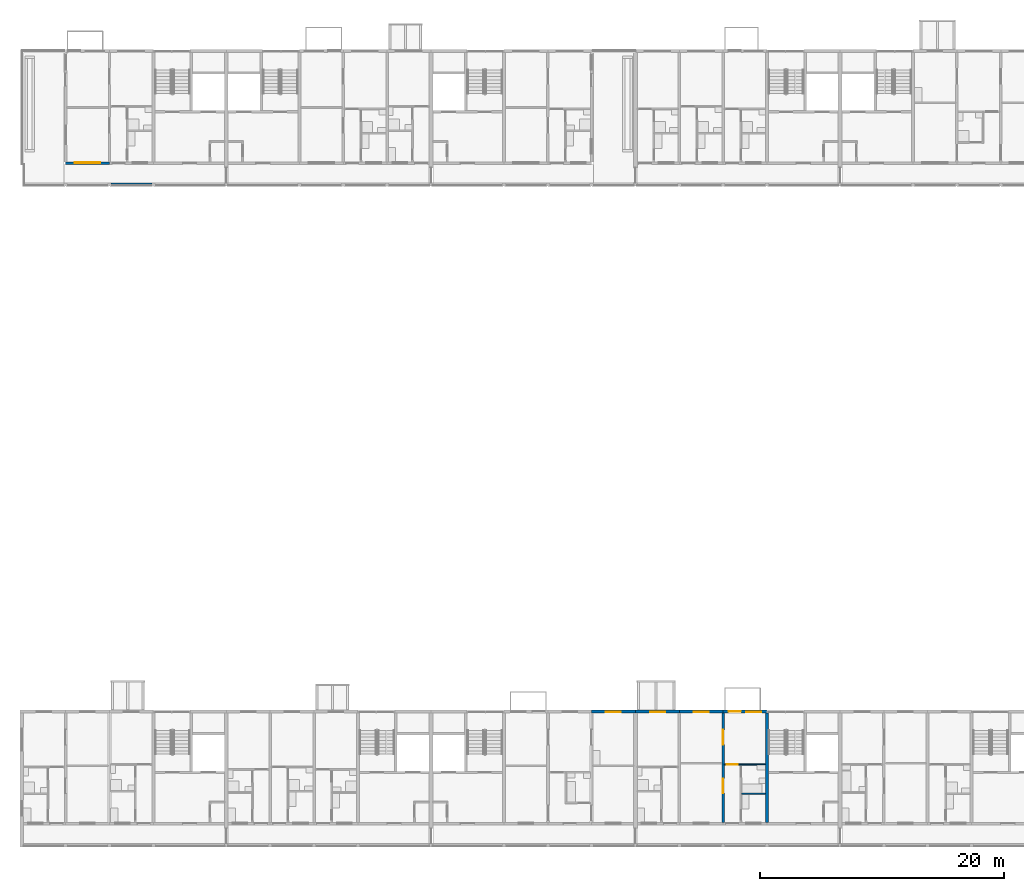
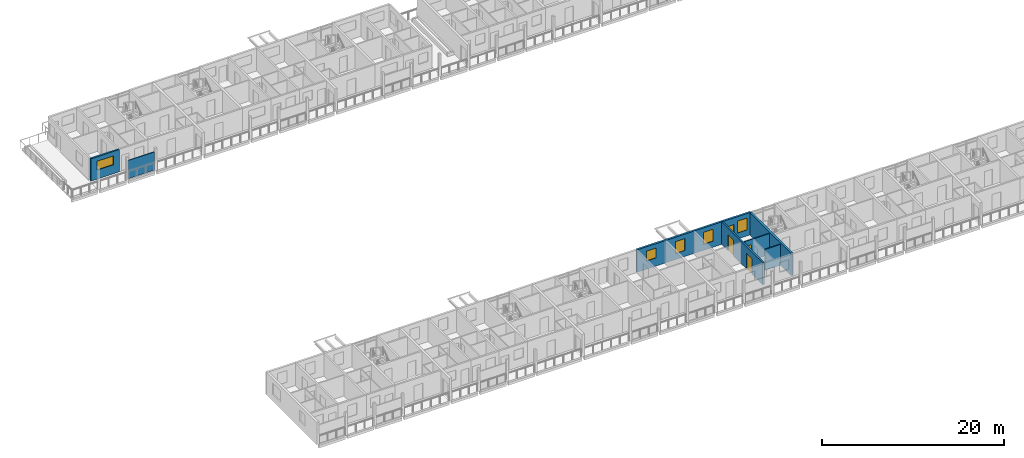
# One storey, part 33 of 93: 10 walls, 5 windows, 4 doors, 9 openings.
"""IFC4 building model written with IfcOpenShell, lengths in metres."""

from ifc_helpers import new_model, si_unit, direction, frame, frame_2d, origin, place, context, subcontext, project, spatial, rectangle, extrude, material, layer, layer_set, type_object, element, fill, save


model = new_model("IFC4")

# Units and contexts
model_context = context("Model", 3, precision=1e-05, world=origin(), true_north=direction((0.0, 1.0)))
body_context = subcontext(model_context, "Body", "Model", "MODEL_VIEW")
ifc_project = project(units=[si_unit("LENGTHUNIT", "METRE"), si_unit("AREAUNIT", "SQUARE_METRE"), si_unit("VOLUMEUNIT", "CUBIC_METRE"), si_unit("PLANEANGLEUNIT", "RADIAN"), si_unit("MASSUNIT", "GRAM", prefix="KILO")], contexts=[model_context])

# Site, building, storey
site_placement = place(None, origin())
site = spatial("IfcSite", under=ifc_project, at=site_placement, CompositionType="ELEMENT")
building_placement = place(site_placement, origin())
building = spatial("IfcBuilding", under=site, at=building_placement, Name="Ridgestep Commons", CompositionType="ELEMENT")
storey_placement = place(building_placement, frame((0.0, 0.0, 18.0)))
storey = spatial("IfcBuildingStorey", under=building, at=storey_placement, Name="L06", CompositionType="ELEMENT", Elevation=18.0)

# Wall
ifc_material_1 = material(Name="Concrete C30/37", Category="concrete")
ifc_layer_1 = layer(ifc_material_1, 0.25)
ifc_layer_set_1 = layer_set([ifc_layer_1], Name="Core cross wall 250")
wall_type_1 = type_object("IfcWallType", Name="Core cross wall 250", PredefinedType="SHEAR", material=ifc_layer_set_1)
wall_1_placement = place(storey_placement, frame((73.199951171875, 13.75, 0.0), z_axis=(0.0, 0.0, 1.0), x_axis=(0.0, 1.0, 0.0)))
element("IfcWall", 1, at=wall_1_placement, inside=storey, type_object=wall_type_1, Name="Cross wall A-06-0732", PredefinedType="SHEAR", context=body_context, shape_type="SweptSolid", body=[
    extrude(rectangle(XDim=9.0, YDim=0.25, at=frame_2d((4.5, 0.0))), origin(), (0.0, 0.0, 1.0), 3.0),
])

# Wall, openings, doors
ifc_material_2 = material(Name="Precast concrete C40/50", Category="concrete")
ifc_layer_2 = layer(ifc_material_2, 0.199951171875)
ifc_layer_set_2 = layer_set([ifc_layer_2], Name="Cross wall 200")
wall_type_2 = type_object("IfcWallType", Name="Cross wall 200", PredefinedType="SHEAR", material=ifc_layer_set_2)
wall_2_placement = place(storey_placement, frame((69.60009765625, 13.75, 0.0), z_axis=(0.0, 0.0, 1.0), x_axis=(0.0, 1.0, 0.0)))
wall_2 = element("IfcWall", 2, at=wall_2_placement, inside=storey, type_object=wall_type_2, Name="Cross wall A-06-0696", PredefinedType="SHEAR", context=body_context, shape_type="SweptSolid", body=[
    extrude(rectangle(XDim=9.0, YDim=0.199951171875, at=frame_2d((4.5, 0.0))), origin(), (0.0, 0.0, 1.0), 3.0),
])
opening_1_placement = place(wall_2_placement, frame((2.39990234375, 0.0, 0.0)))
opening_1 = element("IfcOpeningElement", 3, at=opening_1_placement, cuts=wall_2, Name="Opening A4-06b/5", PredefinedType="OPENING", context=body_context, shape_type="SweptSolid", body=[
    extrude(rectangle(XDim=1.199951171875, YDim=2.10009765625, at=frame_2d((0.60009765625, 1.050048828125))), frame((0.0, 0.10986328125, 0.0), z_axis=(0.0, -1.0, 0.0), x_axis=(1.0, 0.0, 0.0)), (0.0, 0.0, 1.0), 0.219970703125),
])
opening_2_placement = place(wall_2_placement, frame((6.39990234375, 0.0, 0.0)))
opening_2 = element("IfcOpeningElement", 4, at=opening_2_placement, cuts=wall_2, Name="Opening A4-06b/6", PredefinedType="OPENING", context=body_context, shape_type="SweptSolid", body=[
    extrude(rectangle(XDim=1.199951171875, YDim=2.10009765625, at=frame_2d((0.60009765625, 1.050048828125))), frame((0.0, 0.10986328125, 0.0), z_axis=(0.0, -1.0, 0.0), x_axis=(1.0, 0.0, 0.0)), (0.0, 0.0, 1.0), 0.219970703125),
])
ifc_material_3 = material(Name="Timber door leaf", Category="wood")
door_type_1 = type_object("IfcDoorType", Name="Double door 1200 x 2100", OperationType="DOUBLE_DOOR_SINGLE_SWING", PredefinedType="DOOR", material=ifc_material_3)
door_1_placement = place(opening_1_placement, origin())
door_1 = element("IfcDoor", 5, at=door_1_placement, inside=storey, type_object=door_type_1, Name="Double door A4-06b/5", OperationType="DOUBLE_DOOR_SINGLE_SWING", OverallHeight=2.10009765625, OverallWidth=1.199951171875, PredefinedType="DOOR", context=body_context, shape_type="SweptSolid", body=[
    extrude(rectangle(XDim=1.199951171875, YDim=2.10009765625, at=frame_2d((0.60009765625, 1.050048828125))), frame((0.0, 0.02490234375, 0.0), z_axis=(0.0, -1.0, 0.0), x_axis=(1.0, 0.0, 0.0)), (0.0, 0.0, 1.0), 0.050048828125),
])
fill(opening_1, door_1)
door_2_placement = place(opening_2_placement, origin())
door_2 = element("IfcDoor", 6, at=door_2_placement, inside=storey, type_object=door_type_1, Name="Double door A4-06b/6", OperationType="DOUBLE_DOOR_SINGLE_SWING", OverallHeight=2.10009765625, OverallWidth=1.199951171875, PredefinedType="DOOR", context=body_context, shape_type="SweptSolid", body=[
    extrude(rectangle(XDim=1.199951171875, YDim=2.10009765625, at=frame_2d((0.60009765625, 1.050048828125))), frame((0.0, 0.02490234375, 0.0), z_axis=(0.0, -1.0, 0.0), x_axis=(1.0, 0.0, 0.0)), (0.0, 0.0, 1.0), 0.050048828125),
])
fill(opening_2, door_2)

# Wall, opening, window
ifc_material_4 = material(Name="Precast concrete C40/50", Category="concrete")
ifc_layer_3 = layer(ifc_material_4, 0.25)
ifc_layer_set_3 = layer_set([ifc_layer_3], Name="North facade panel 250")
wall_type_3 = type_object("IfcWallType", Name="North facade panel 250", PredefinedType="SOLIDWALL", material=ifc_layer_set_3)
wall_3_placement = place(storey_placement, frame((58.800048828125, 22.875, 0.0), z_axis=(0.0, 0.0, 1.0), x_axis=(1.0, 0.0, 0.0)))
wall_3 = element("IfcWall", 7, at=wall_3_placement, inside=storey, type_object=wall_type_3, Name="North panel A3T1 L06", PredefinedType="SOLIDWALL", context=body_context, shape_type="SweptSolid", body=[
    extrude(rectangle(XDim=3.599853515625, YDim=0.25, at=frame_2d((1.7998046875, 0.0))), origin(), (0.0, 0.0, 1.0), 3.0),
])
opening_3_placement = place(wall_3_placement, frame((1.175048828125, 0.0, 1.10009765625)))
opening_3 = element("IfcOpeningElement", 8, at=opening_3_placement, cuts=wall_3, Name="Opening W08", PredefinedType="OPENING", context=body_context, shape_type="SweptSolid", body=[
    extrude(rectangle(XDim=1.199951171875, YDim=1.300048828125, at=frame_2d((0.60009765625, 0.64990234375))), frame((0.0, 0.135009765625, 0.0), z_axis=(0.0, -1.0, 0.0), x_axis=(1.0, 0.0, 0.0)), (0.0, 0.0, 1.0), 0.27001953125),
])
ifc_material_5 = material(Name="Aluminium 6063-T6 and glass", Category="aluminium")
window_type_1 = type_object("IfcWindowType", Name="Flat window 1200 x 1300", PartitioningType="SINGLE_PANEL", PredefinedType="WINDOW", material=ifc_material_5)
window_1_placement = place(opening_3_placement, origin())
window_1 = element("IfcWindow", 9, at=window_1_placement, inside=storey, type_object=window_type_1, Name="Window A3-06a 4", OverallHeight=1.300048828125, OverallWidth=1.199951171875, PartitioningType="SINGLE_PANEL", PredefinedType="WINDOW", context=body_context, shape_type="SweptSolid", body=[
    extrude(rectangle(XDim=1.199951171875, YDim=1.300048828125, at=frame_2d((0.60009765625, 0.64990234375))), frame((0.0, -0.02490234375, 0.0), z_axis=(0.0, -1.0, 0.0), x_axis=(1.0, 0.0, 0.0)), (0.0, 0.0, 1.0), 0.06005859375),
])
fill(opening_3, window_1)

wall_4_placement = place(storey_placement, frame((62.39990234375, 22.875, 0.0), z_axis=(0.0, 0.0, 1.0), x_axis=(1.0, 0.0, 0.0)))
wall_4 = element("IfcWall", 10, at=wall_4_placement, inside=storey, type_object=wall_type_3, Name="North panel A4T1 L06", PredefinedType="SOLIDWALL", context=body_context, shape_type="SweptSolid", body=[
    extrude(rectangle(XDim=3.60009765625, YDim=0.25, at=frame_2d((1.800048828125, 0.0))), origin(), (0.0, 0.0, 1.0), 3.0),
])
opening_4_placement = place(wall_4_placement, frame((1.22509765625, 0.0, 0.800048828125)))
opening_4 = element("IfcOpeningElement", 11, at=opening_4_placement, cuts=wall_4, Name="Opening W11", PredefinedType="OPENING", context=body_context, shape_type="SweptSolid", body=[
    extrude(rectangle(XDim=1.199951171875, YDim=1.60009765625, at=frame_2d((0.60009765625, 0.800048828125))), frame((0.0, 0.135009765625, 0.0), z_axis=(0.0, -1.0, 0.0), x_axis=(1.0, 0.0, 0.0)), (0.0, 0.0, 1.0), 0.27001953125),
])
ifc_material_6 = material(Name="Aluminium 6063-T6 and glass", Category="aluminium")
window_type_2 = type_object("IfcWindowType", Name="Flat window 1200 x 1600", PartitioningType="SINGLE_PANEL", PredefinedType="WINDOW", material=ifc_material_6)
window_2_placement = place(opening_4_placement, origin())
window_2 = element("IfcWindow", 12, at=window_2_placement, inside=storey, type_object=window_type_2, Name="Window A4-06a 2", OverallHeight=1.60009765625, OverallWidth=1.199951171875, PartitioningType="SINGLE_PANEL", PredefinedType="WINDOW", context=body_context, shape_type="SweptSolid", body=[
    extrude(rectangle(XDim=1.199951171875, YDim=1.60009765625, at=frame_2d((0.60009765625, 0.800048828125))), frame((0.0, -0.02490234375, 0.0), z_axis=(0.0, -1.0, 0.0), x_axis=(1.0, 0.0, 0.0)), (0.0, 0.0, 1.0), 0.06005859375),
])
fill(opening_4, window_2)

wall_5_placement = place(storey_placement, frame((66.0, 22.875, 0.0), z_axis=(0.0, 0.0, 1.0), x_axis=(1.0, 0.0, 0.0)))
wall_5 = element("IfcWall", 13, at=wall_5_placement, inside=storey, type_object=wall_type_3, Name="North panel A4T2 L06", PredefinedType="SOLIDWALL", context=body_context, shape_type="SweptSolid", body=[
    extrude(rectangle(XDim=3.60009765625, YDim=0.25, at=frame_2d((1.800048828125, 0.0))), origin(), (0.0, 0.0, 1.0), 3.0),
])
opening_5_placement = place(wall_5_placement, frame((1.199951171875, 0.0, 0.800048828125)))
opening_5 = element("IfcOpeningElement", 14, at=opening_5_placement, cuts=wall_5, Name="Opening W11", PredefinedType="OPENING", context=body_context, shape_type="SweptSolid", body=[
    extrude(rectangle(XDim=1.199951171875, YDim=1.60009765625, at=frame_2d((0.60009765625, 0.800048828125))), frame((0.0, 0.135009765625, 0.0), z_axis=(0.0, -1.0, 0.0), x_axis=(1.0, 0.0, 0.0)), (0.0, 0.0, 1.0), 0.27001953125),
])
window_3_placement = place(opening_5_placement, origin())
window_3 = element("IfcWindow", 15, at=window_3_placement, inside=storey, type_object=window_type_2, Name="Window A4-06b 2", OverallHeight=1.60009765625, OverallWidth=1.199951171875, PartitioningType="SINGLE_PANEL", PredefinedType="WINDOW", context=body_context, shape_type="SweptSolid", body=[
    extrude(rectangle(XDim=1.199951171875, YDim=1.60009765625, at=frame_2d((0.60009765625, 0.800048828125))), frame((0.0, -0.02490234375, 0.0), z_axis=(0.0, -1.0, 0.0), x_axis=(1.0, 0.0, 0.0)), (0.0, 0.0, 1.0), 0.06005859375),
])
fill(opening_5, window_3)

# Wall, openings, door, window
wall_6_placement = place(storey_placement, frame((69.60009765625, 22.875, 0.0), z_axis=(0.0, 0.0, 1.0), x_axis=(1.0, 0.0, 0.0)))
wall_6 = element("IfcWall", 16, at=wall_6_placement, inside=storey, type_object=wall_type_3, Name="North panel A4T3 L06", PredefinedType="SOLIDWALL", context=body_context, shape_type="SweptSolid", body=[
    extrude(rectangle(XDim=3.599853515625, YDim=0.25, at=frame_2d((1.7998046875, 0.0))), origin(), (0.0, 0.0, 1.0), 3.0),
])
opening_6_placement = place(wall_6_placement, frame((1.910888671875, 0.0, 0.800048828125)))
opening_6 = element("IfcOpeningElement", 17, at=opening_6_placement, cuts=wall_6, Name="Opening W11", PredefinedType="OPENING", context=body_context, shape_type="SweptSolid", body=[
    extrude(rectangle(XDim=1.199951171875, YDim=1.60009765625, at=frame_2d((0.60009765625, 0.800048828125))), frame((0.0, 0.135009765625, 0.0), z_axis=(0.0, -1.0, 0.0), x_axis=(1.0, 0.0, 0.0)), (0.0, 0.0, 1.0), 0.27001953125),
])
opening_7_placement = place(wall_6_placement, frame((0.447021484375, 0.0, 0.0)))
opening_7 = element("IfcOpeningElement", 18, at=opening_7_placement, cuts=wall_6, Name="Opening A4-06b/7", PredefinedType="OPENING", context=body_context, shape_type="SweptSolid", body=[
    extrude(rectangle(XDim=1.0, YDim=2.10009765625, at=frame_2d((0.5, 1.050048828125))), frame((0.0, 0.135009765625, 0.0), z_axis=(0.0, -1.0, 0.0), x_axis=(1.0, 0.0, 0.0)), (0.0, 0.0, 1.0), 0.27001953125),
])
ifc_material_7 = material(Name="Aluminium and glass", Category="aluminium")
door_type_2 = type_object("IfcDoorType", Name="Balcony door 1000 x 2100", OperationType="NOTDEFINED", PredefinedType="DOOR", material=ifc_material_7)
door_3_placement = place(opening_7_placement, origin())
door_3 = element("IfcDoor", 19, at=door_3_placement, inside=storey, type_object=door_type_2, Name="Balcony door A4-06b/7", OperationType="SINGLE_SWING_RIGHT", OverallHeight=2.10009765625, OverallWidth=1.0, PredefinedType="DOOR", context=body_context, shape_type="SweptSolid", body=[
    extrude(rectangle(XDim=1.0, YDim=2.10009765625, at=frame_2d((0.5, 1.050048828125))), frame((0.0, 0.02490234375, 0.0), z_axis=(0.0, -1.0, 0.0), x_axis=(1.0, 0.0, 0.0)), (0.0, 0.0, 1.0), 0.050048828125),
])
fill(opening_7, door_3)
window_4_placement = place(opening_6_placement, origin())
window_4 = element("IfcWindow", 20, at=window_4_placement, inside=storey, type_object=window_type_2, Name="Window A4-06b 4", OverallHeight=1.60009765625, OverallWidth=1.199951171875, PartitioningType="SINGLE_PANEL", PredefinedType="WINDOW", context=body_context, shape_type="SweptSolid", body=[
    extrude(rectangle(XDim=1.199951171875, YDim=1.60009765625, at=frame_2d((0.60009765625, 0.800048828125))), frame((0.0, -0.02490234375, 0.0), z_axis=(0.0, -1.0, 0.0), x_axis=(1.0, 0.0, 0.0)), (0.0, 0.0, 1.0), 0.06005859375),
])
fill(opening_6, window_4)

# Wall
ifc_material_8 = material(Name="Common brick 110 mm", Category="masonry")
ifc_layer_4 = layer(ifc_material_8, 0.110107421875)
ifc_layer_set_4 = layer_set([ifc_layer_4], Name="Partition 110")
wall_type_4 = type_object("IfcWallType", Name="Partition 110", PredefinedType="PARTITIONING", material=ifc_layer_set_4)
wall_7_placement = place(storey_placement, frame((71.110107421875, 16.10498046875, 0.0), z_axis=(0.0, 0.0, 1.0), x_axis=(1.0, 0.0, 0.0)))
element("IfcWall", 21, at=wall_7_placement, inside=storey, type_object=wall_type_4, Name="Partition A4-06b", PredefinedType="PARTITIONING", context=body_context, shape_type="SweptSolid", body=[
    extrude(rectangle(XDim=1.96484375, YDim=0.110107421875, at=frame_2d((0.982421875, 0.0))), origin(), (0.0, 0.0, 1.0), 2.800048828125),
])

# Wall, opening, door
wall_8_placement = place(storey_placement, frame((69.699951171875, 18.5048828125, 0.0), z_axis=(0.0, 0.0, 1.0), x_axis=(1.0, 0.0, 0.0)))
wall_8 = element("IfcWall", 22, at=wall_8_placement, inside=storey, type_object=wall_type_4, Name="Partition A4-06b", PredefinedType="PARTITIONING", context=body_context, shape_type="SweptSolid", body=[
    extrude(rectangle(XDim=3.375, YDim=0.110107421875, at=frame_2d((1.6875, 0.0))), origin(), (0.0, 0.0, 1.0), 2.800048828125),
])
opening_8_placement = place(wall_8_placement, frame((0.199951171875, 0.0, 0.0)))
opening_8 = element("IfcOpeningElement", 23, at=opening_8_placement, cuts=wall_8, Name="Opening A4-06b/4", PredefinedType="OPENING", context=body_context, shape_type="SweptSolid", body=[
    extrude(rectangle(XDim=0.89990234375, YDim=2.10009765625, at=frame_2d((0.449951171875, 1.050048828125))), frame((0.0, 0.06494140625, 0.0), z_axis=(0.0, -1.0, 0.0), x_axis=(1.0, 0.0, 0.0)), (0.0, 0.0, 1.0), 0.130126953125),
])
ifc_material_9 = material(Name="Timber door leaf", Category="wood")
door_type_3 = type_object("IfcDoorType", Name="Internal door 900 x 2100", OperationType="NOTDEFINED", PredefinedType="DOOR", material=ifc_material_9)
door_4_placement = place(opening_8_placement, origin())
door_4 = element("IfcDoor", 24, at=door_4_placement, inside=storey, type_object=door_type_3, Name="Internal door A4-06b/4", OperationType="SINGLE_SWING_LEFT", OverallHeight=2.10009765625, OverallWidth=0.89990234375, PredefinedType="DOOR", context=body_context, shape_type="SweptSolid", body=[
    extrude(rectangle(XDim=0.89990234375, YDim=2.10009765625, at=frame_2d((0.449951171875, 1.050048828125))), frame((0.0, 0.02490234375, 0.0), z_axis=(0.0, -1.0, 0.0), x_axis=(1.0, 0.0, 0.0)), (0.0, 0.0, 1.0), 0.050048828125),
])
fill(opening_8, door_4)

# Wall
ifc_material_10 = material(Name="Precast concrete C30/37", Category="concrete")
ifc_layer_5 = layer(ifc_material_10, 0.10009765625)
ifc_layer_set_5 = layer_set([ifc_layer_5], Name="Perforated gallery screen 3350 x 2450 x 100")
wall_type_5 = type_object("IfcWallType", Name="Perforated gallery screen 3350 x 2450 x 100", PredefinedType="SOLIDWALL", material=ifc_layer_set_5)
wall_9_placement = place(storey_placement, frame((19.324951171875, 66.199951171875, 0.0), z_axis=(0.0, 0.0, 1.0), x_axis=(1.0, 0.0, 0.0)))
element("IfcWall", 25, at=wall_9_placement, inside=storey, type_object=wall_type_5, Name="Gallery screen B1T3 06", PredefinedType="SOLIDWALL", context=body_context, shape_type="SweptSolid", body=[
    extrude(rectangle(XDim=3.35009765625, YDim=0.10009765625, at=frame_2d((1.675048828125, 0.0))), origin(), (0.0, 0.0, 1.0), 2.449951171875),
])

# Wall, opening, window
ifc_material_11 = material(Name="Precast concrete C40/50", Category="concrete")
ifc_layer_6 = layer(ifc_material_11, 0.199951171875)
ifc_layer_set_6 = layer_set([ifc_layer_6], Name="South facade panel 200")
wall_type_6 = type_object("IfcWallType", Name="South facade panel 200", PredefinedType="SOLIDWALL", material=ifc_layer_set_6)
wall_10_placement = place(storey_placement, frame((15.60009765625, 67.89990234375, 0.0), z_axis=(0.0, 0.0, 1.0), x_axis=(1.0, 0.0, 0.0)))
wall_10 = element("IfcWall", 26, at=wall_10_placement, inside=storey, type_object=wall_type_6, Name="South panel B1T2 L06", PredefinedType="SOLIDWALL", context=body_context, shape_type="SweptSolid", body=[
    extrude(rectangle(XDim=3.599853515625, YDim=0.199951171875, at=frame_2d((1.7998046875, 0.0))), origin(), (0.0, 0.0, 1.0), 3.0),
])
opening_9_placement = place(wall_10_placement, frame((0.75, 0.0, 1.199951171875)))
opening_9 = element("IfcOpeningElement", 27, at=opening_9_placement, cuts=wall_10, Name="Opening W22", PredefinedType="OPENING", context=body_context, shape_type="SweptSolid", body=[
    extrude(rectangle(XDim=2.10009765625, YDim=1.199951171875, at=frame_2d((1.050048828125, 0.60009765625))), frame((0.0, 0.10986328125, 0.0), z_axis=(0.0, -1.0, 0.0), x_axis=(1.0, 0.0, 0.0)), (0.0, 0.0, 1.0), 0.219970703125),
])
ifc_material_12 = material(Name="Aluminium 6063-T6 and glass", Category="aluminium")
window_type_3 = type_object("IfcWindowType", Name="Flat window 2100 x 1200", PartitioningType="DOUBLE_PANEL_VERTICAL", PredefinedType="WINDOW", material=ifc_material_12)
window_5_placement = place(opening_9_placement, origin())
window_5 = element("IfcWindow", 28, at=window_5_placement, inside=storey, type_object=window_type_3, Name="Window B1-06a 1", OverallHeight=1.199951171875, OverallWidth=2.10009765625, PartitioningType="SINGLE_PANEL", PredefinedType="WINDOW", context=body_context, shape_type="SweptSolid", body=[
    extrude(rectangle(XDim=2.10009765625, YDim=1.199951171875, at=frame_2d((1.050048828125, 0.60009765625))), frame((0.0, 0.06005859375, 0.0), z_axis=(0.0, -1.0, 0.0), x_axis=(1.0, 0.0, 0.0)), (0.0, 0.0, 1.0), 0.06005859375),
])
fill(opening_9, window_5)

save(model, "model.ifc")
